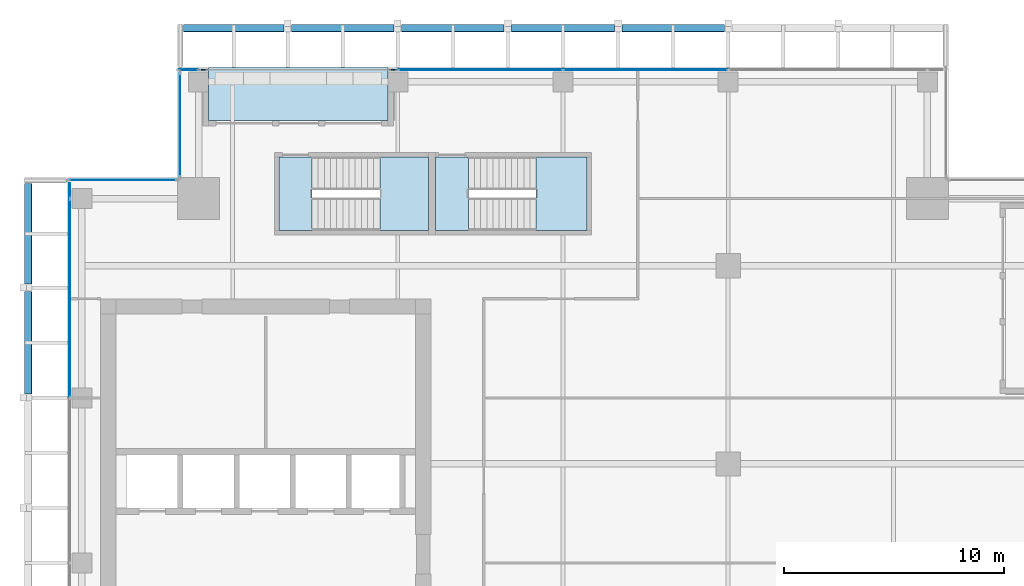
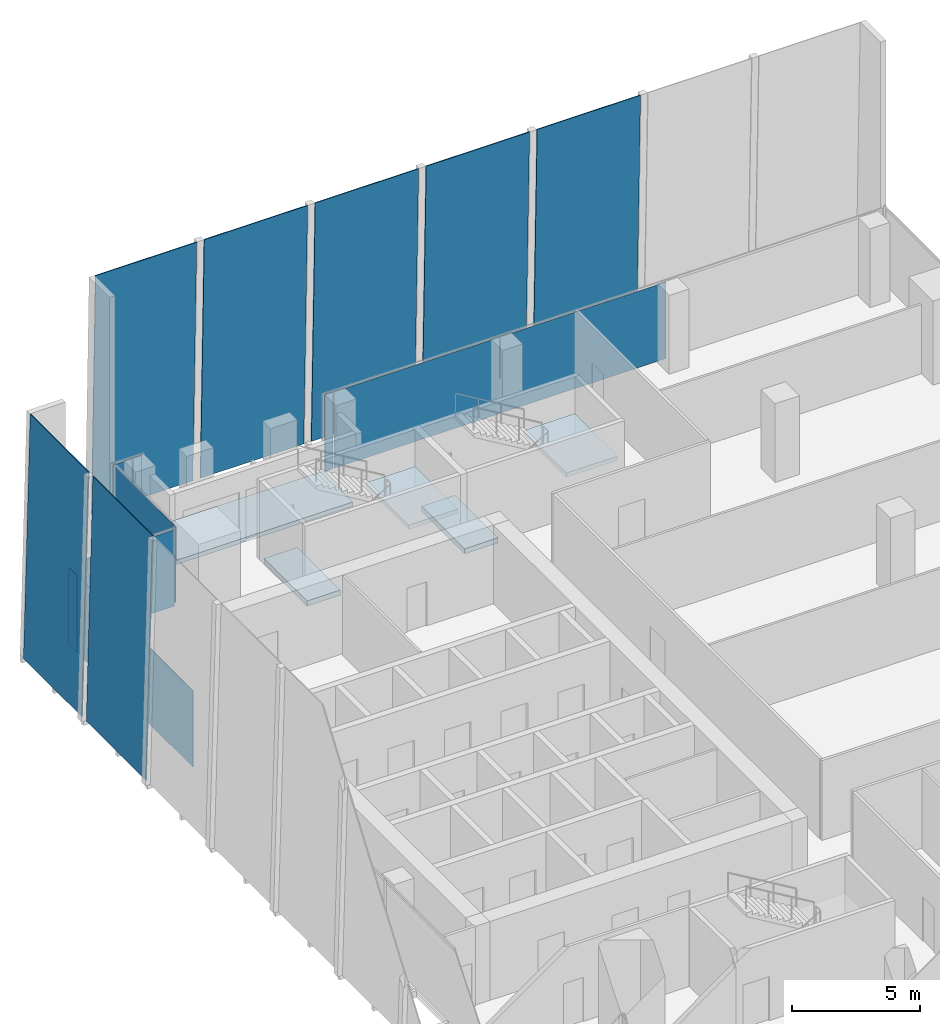
# One storey, part 26 of 35: 16 plates, 5 slabs, 7 elements without a shape of their own.
"""IFC4 building model written with IfcOpenShell, lengths in metres."""

from ifc_helpers import new_model, si_unit, direction, frame, origin, origin_2d, place, context, subcontext, project, spatial, polyline, rectangle, outline, extrude, source, transform, mapped, material, layer, layer_set, type_object, element, aggregate, save


model = new_model("IFC4")

# Units and contexts
model_context = context("Model", 3, precision=1e-05, world=origin(), true_north=direction((0.0, 1.0)))
body_context = subcontext(model_context, "Body", "Model", "MODEL_VIEW")
ifc_project = project(units=[si_unit("LENGTHUNIT", "METRE"), si_unit("AREAUNIT", "SQUARE_METRE"), si_unit("VOLUMEUNIT", "CUBIC_METRE"), si_unit("PLANEANGLEUNIT", "RADIAN"), si_unit("MASSUNIT", "GRAM", prefix="KILO")], contexts=[model_context])

# Site, building, storey
site_placement = place(None, origin())
site = spatial("IfcSite", under=ifc_project, at=site_placement, CompositionType="ELEMENT")
building_placement = place(site_placement, origin())
building = spatial("IfcBuilding", under=site, at=building_placement, Name="Khomas Fold Tower", CompositionType="ELEMENT")
storey_placement = place(building_placement, frame((0.0, 0.0, 246.199951171875)))
storey = spatial("IfcBuildingStorey", under=building, at=storey_placement, Name="L55", CompositionType="ELEMENT", Elevation=246.199951171875)

# Plates
ifc_material_1 = material(Name="Clear laminated glass", Category="glass")
ifc_layer_1 = layer(ifc_material_1, 0.0400390625)
ifc_layer_set_1 = layer_set([ifc_layer_1], Name="Clear laminated glass")
plate_type_1 = type_object("IfcPlateType", Name="SK-Clear laminated glass leaf", PredefinedType="SHEET", material=ifc_layer_set_1)
plate_1_placement = place(storey_placement, frame((9.77001953125, 51.450927734375, 0.0009765625), z_axis=(0.0, 0.999657230839, 0.026180543005), x_axis=(1.0, 0.0, 0.0)))
element("IfcPlate", 1, at=plate_1_placement, inside=storey, type_object=plate_type_1, Name="OUTER SKIN glass L55 N1", PredefinedType="SHEET", context=body_context, shape_type="SweptSolid", body=[
    extrude(outline(polyline([(0.0, 0.0), (4.56005859375, 0.0), (4.56005859375, -11.554009186164079), (0.0, -11.554009186164079), (0.0, 0.0)])), origin(), (0.0, 0.0, -1.0), 0.0400390625),
])
for number, where, z_axis, x_axis, name in (
    (2, (14.669921875, 51.450927734375, 0.0009765625), (0.0, 0.999657230839, 0.026180543005), (1.0, 0.0, 0.0), "OUTER SKIN glass L55 N3"),
    (3, (19.669921875, 51.450927734375, 0.0009765625), (0.0, 0.999657230839, 0.026180543005), (1.0, 0.0, 0.0), "OUTER SKIN glass L55 N5"),
    (4, (24.669921875, 51.450927734375, 0.0009765625), (0.0, 0.999657230839, 0.026180543005), (1.0, 0.0, 0.0), "OUTER SKIN glass L55 N7"),
    (5, (29.669921875, 51.450927734375, 0.0009765625), (0.0, 0.999657230839, 0.026180543005), (1.0, 0.0, 0.0), "OUTER SKIN glass L55 N9"),
    (6, (2.549072265625, 34.669921875, 0.0009765625), (-0.999657230839, 0.0, 0.026180543005), (0.0, 1.0, 0.0), "OUTER SKIN glass L55 W11"),
):
    element("IfcPlate", number, at=place(storey_placement, frame(where, z_axis=z_axis, x_axis=x_axis)), inside=storey, type_object=plate_type_1, Name=name, PredefinedType="SHEET", context=body_context, shape_type="SweptSolid", body=[
        extrude(outline(polyline([(0.0, 0.0), (4.66015625, 0.0), (4.66015625, -11.554009186164079), (0.0, -11.554009186164079), (0.0, 0.0)])), origin(), (0.0, 0.0, -1.0), 0.0400390625),
    ])
plate_2_placement = place(storey_placement, frame((2.549072265625, 39.669921875, 0.0009765625), z_axis=(-0.999657230839, 0.0, 0.026180543005), x_axis=(0.0, 1.0, 0.0)))
element("IfcPlate", 7, at=plate_2_placement, inside=storey, type_object=plate_type_1, Name="OUTER SKIN glass L55 W13", PredefinedType="SHEET", context=body_context, shape_type="SweptSolid", body=[
    extrude(outline(polyline([(0.0, 0.0), (4.56005859375, 0.0), (4.56005859375, -11.554009186164079), (0.0, -11.554009186164079), (0.0, 0.0)])), origin(), (0.0, 0.0, -1.0), 0.0400390625),
])

# Curtain wall, plate
ifc_material_2 = material(Name="Aluminium framed double glazing", Category="aluminium")
curtain_wall_type = type_object("IfcCurtainWallType", Name="SK-Unitised clear-glass wall, office floors CW2", PredefinedType="NOTDEFINED", material=ifc_material_2)
curtain_wall_1_placement = place(storey_placement, origin())
curtain_wall_1 = element("IfcCurtainWall", 8, at=curtain_wall_1_placement, inside=storey, type_object=curtain_wall_type, Name="CW2 run L55 09-0", PredefinedType="NOTDEFINED")
ifc_material_3 = material(Name="Clear double glazed unit")
ifc_layer_2 = layer(ifc_material_3, 0.030029296875)
ifc_layer_set_2 = layer_set([ifc_layer_2], Name="Clear double glazed unit")
plate_type_2 = type_object("IfcPlateType", Name="SK-Unitised clear-glass wall, office floors glass panel CW2-P", PredefinedType="CURTAIN_PANEL", material=ifc_layer_set_2)
shared_shape_1 = source(origin(), body_context, "Body", "SweptSolid", [
    extrude(rectangle(XDim=0.659912109375, YDim=0.030029296875, at=origin_2d()), origin(), (0.0, 0.0, 1.0), 3.639892578125),
])
plate_3_placement = place(storey_placement, frame((4.60009765625, 43.909912109375, 0.0), z_axis=(0.0, 0.0, 1.0), x_axis=(0.0, -1.0, 0.0)))
plate_3 = element("IfcPlate", 9, at=plate_3_placement, type_object=plate_type_2, Name="CW2 glass panel 1", PredefinedType="CURTAIN_PANEL", context=body_context, shape_type="MappedRepresentation", body=[
    mapped(shared_shape_1, transform((0.0, 0.0, 0.0))),
])

# Curtain wall, plates
curtain_wall_2_placement = place(storey_placement, origin())
curtain_wall_2 = element("IfcCurtainWall", 10, at=curtain_wall_2_placement, inside=storey, type_object=curtain_wall_type, Name="CW2 run L55 06-0", PredefinedType="NOTDEFINED")
shared_shape_2 = source(origin(), body_context, "Body", "SweptSolid", [
    extrude(rectangle(XDim=7.43994140625, YDim=0.030029296875, at=origin_2d()), origin(), (0.0, 0.0, 1.0), 3.639892578125),
])
plate_4_placement = place(storey_placement, frame((30.75, 49.39990234375, 0.0), z_axis=(0.0, 0.0, 1.0), x_axis=(-1.0, 0.0, 0.0)))
plate_4 = element("IfcPlate", 11, at=plate_4_placement, type_object=plate_type_2, Name="CW2 glass panel 3", PredefinedType="CURTAIN_PANEL", context=body_context, shape_type="MappedRepresentation", body=[
    mapped(shared_shape_2, transform((0.0, 0.0, 0.0))),
])
plate_5_placement = place(storey_placement, frame((23.25, 49.39990234375, 0.0), z_axis=(0.0, 0.0, 1.0), x_axis=(-1.0, 0.0, 0.0)))
plate_5 = element("IfcPlate", 12, at=plate_5_placement, type_object=plate_type_2, Name="CW2 glass panel 4", PredefinedType="CURTAIN_PANEL", context=body_context, shape_type="MappedRepresentation", body=[
    mapped(shared_shape_2, transform((0.0, 0.0, 0.0))),
])

# Curtain wall, plate
curtain_wall_3_placement = place(storey_placement, origin())
curtain_wall_3 = element("IfcCurtainWall", 13, at=curtain_wall_3_placement, inside=storey, type_object=curtain_wall_type, Name="CW2 run L55 06-1", PredefinedType="NOTDEFINED")
shared_shape_3 = source(origin(), body_context, "Body", "SweptSolid", [
    extrude(rectangle(XDim=0.860107421875, YDim=0.030029296875, at=origin_2d()), origin(), (0.0, 0.0, 1.0), 3.639892578125),
])
plate_6_placement = place(storey_placement, frame((9.989990234375, 49.39990234375, 0.0), z_axis=(0.0, 0.0, 1.0), x_axis=(-1.0, 0.0, 0.0)))
plate_6 = element("IfcPlate", 14, at=plate_6_placement, type_object=plate_type_2, Name="CW2 glass panel 2", PredefinedType="CURTAIN_PANEL", context=body_context, shape_type="MappedRepresentation", body=[
    mapped(shared_shape_3, transform((0.0, 0.0, 0.0))),
])

# Plate
shared_shape_4 = source(origin(), body_context, "Body", "SweptSolid", [
    extrude(rectangle(XDim=8.989990234375, YDim=0.030029296875, at=origin_2d()), origin(), (0.0, 0.0, 1.0), 3.639892578125),
])
plate_7_placement = place(storey_placement, frame((4.60009765625, 39.02490234375, 0.0), z_axis=(0.0, 0.0, 1.0), x_axis=(0.0, -1.0, 0.0)))
plate_7 = element("IfcPlate", 15, at=plate_7_placement, type_object=plate_type_2, Name="CW2 glass panel 2", PredefinedType="CURTAIN_PANEL", context=body_context, shape_type="MappedRepresentation", body=[
    mapped(shared_shape_4, transform((0.0, 0.0, 0.0))),
])

aggregate(curtain_wall_1, [plate_3, plate_7])

# Curtain wall, plate
curtain_wall_4_placement = place(storey_placement, origin())
curtain_wall_4 = element("IfcCurtainWall", 16, at=curtain_wall_4_placement, inside=storey, type_object=curtain_wall_type, Name="CW2 corner return L55 07", PredefinedType="NOTDEFINED")
shared_shape_5 = source(origin(), body_context, "Body", "SweptSolid", [
    extrude(rectangle(XDim=4.679931640625, YDim=0.030029296875, at=origin_2d()), origin(), (0.0, 0.0, 1.0), 3.639892578125),
])
plate_8_placement = place(storey_placement, frame((9.60009765625, 46.89990234375, 0.0), z_axis=(0.0, 0.0, 1.0), x_axis=(0.0, -1.0, 0.0)))
plate_8 = element("IfcPlate", 17, at=plate_8_placement, type_object=plate_type_2, Name="CW2 glass panel 1", PredefinedType="CURTAIN_PANEL", context=body_context, shape_type="MappedRepresentation", body=[
    mapped(shared_shape_5, transform((0.0, 0.0, 0.0))),
])
aggregate(curtain_wall_4, [plate_8])

curtain_wall_5_placement = place(storey_placement, origin())
curtain_wall_5 = element("IfcCurtainWall", 18, at=curtain_wall_5_placement, inside=storey, type_object=curtain_wall_type, Name="CW2 corner return L55 08", PredefinedType="NOTDEFINED")
shared_shape_6 = source(origin(), body_context, "Body", "SweptSolid", [
    extrude(rectangle(XDim=4.8798828125, YDim=0.030029296875, at=origin_2d()), origin(), (0.0, 0.0, 1.0), 3.639892578125),
])
plate_9_placement = place(storey_placement, frame((7.0, 44.39990234375, 0.0), z_axis=(0.0, 0.0, 1.0), x_axis=(-1.0, 0.0, 0.0)))
plate_9 = element("IfcPlate", 19, at=plate_9_placement, type_object=plate_type_2, Name="CW2 glass panel 1", PredefinedType="CURTAIN_PANEL", context=body_context, shape_type="MappedRepresentation", body=[
    mapped(shared_shape_6, transform((0.0, 0.0, 0.0))),
])
aggregate(curtain_wall_5, [plate_9])

# Plate
shared_shape_7 = source(origin(), body_context, "Body", "SweptSolid", [
    extrude(rectangle(XDim=0.360107421875, YDim=0.030029296875, at=origin_2d()), origin(), (0.0, 0.0, 1.0), 3.639892578125),
])
plate_10_placement = place(storey_placement, frame((19.2900390625, 49.39990234375, 0.0), z_axis=(0.0, 0.0, 1.0), x_axis=(-1.0, 0.0, 0.0)))
plate_10 = element("IfcPlate", 20, at=plate_10_placement, type_object=plate_type_2, Name="CW2 glass panel 5", PredefinedType="CURTAIN_PANEL", context=body_context, shape_type="MappedRepresentation", body=[
    mapped(shared_shape_7, transform((0.0, 0.0, 0.0))),
])

aggregate(curtain_wall_2, [plate_4, plate_5, plate_10])

plate_11_placement = place(storey_placement, frame((10.659912109375, 49.39990234375, 0.0), z_axis=(0.0, 0.0, 1.0), x_axis=(-1.0, 0.0, 0.0)))
plate_11 = element("IfcPlate", 21, at=plate_11_placement, type_object=plate_type_2, Name="CW2 glass panel 1", PredefinedType="CURTAIN_PANEL", context=body_context, shape_type="MappedRepresentation", body=[
    mapped(shared_shape_7, transform((0.0, 0.0, 0.0))),
])

aggregate(curtain_wall_3, [plate_11, plate_6])

# Slab
ifc_material_4 = material(Name="Concrete C40/50", Category="concrete")
ifc_layer_3 = layer(ifc_material_4, 0.205078125)
ifc_layer_set_3 = layer_set([ifc_layer_3], Name="Concrete C40/50")
slab_type_1 = type_object("IfcSlabType", Name="BL-Balcony deck 205", PredefinedType="FLOOR", material=ifc_layer_set_3)
shared_shape_8 = source(origin(), body_context, "Body", "SweptSolid", [
    extrude(outline(polyline([(10.89990234375, 47.10009765625), (19.050048828125, 47.10009765625), (19.050048828125, 49.5), (10.89990234375, 49.5), (10.89990234375, 47.10009765625)])), origin(), (0.0, 0.0, 1.0), 0.205078125),
])
slab_1_placement = place(storey_placement, frame((0.0, 0.0, -0.25)))
element("IfcSlab", 22, at=slab_1_placement, inside=storey, type_object=slab_type_1, Name="Balcony deck BAL-L55-N1", PredefinedType="FLOOR", context=body_context, shape_type="MappedRepresentation", body=[
    mapped(shared_shape_8, transform((0.0, 0.0, 0.0))),
])

# Stair, slab
ifc_material_5 = material(Name="Concrete C40/50", Category="concrete")
stair_type_1 = type_object("IfcStairType", Name="Stair ST1", PredefinedType="HALF_TURN_STAIR", material=ifc_material_5)
stair_1_placement = place(storey_placement, origin())
stair_1 = element("IfcStair", 23, at=stair_1_placement, inside=storey, type_object=stair_type_1, Name="L55 ST1", PredefinedType="HALF_TURN_STAIR")
ifc_material_6 = material(Name="Concrete C40/50", Category="concrete")
ifc_layer_4 = layer(ifc_material_6, 0.199951171875)
ifc_layer_set_4 = layer_set([ifc_layer_4], Name="Concrete C40/50")
slab_type_2 = type_object("IfcSlabType", Name="Stair landing 200", PredefinedType="LANDING", material=ifc_layer_set_4)
shared_shape_9 = source(origin(), body_context, "Body", "SweptSolid", [
    extrude(outline(polyline([(18.679931640625, 42.10009765625), (20.89990234375, 42.10009765625), (20.89990234375, 45.449951171875), (18.679931640625, 45.449951171875), (18.679931640625, 42.10009765625)])), origin(), (0.0, 0.0, 1.0), 0.199951171875),
])
slab_2_placement = place(storey_placement, frame((0.0, 0.0, 1.800048828125)))
slab_2 = element("IfcSlab", 24, at=slab_2_placement, type_object=slab_type_2, Name="ST1 landing 1", PredefinedType="LANDING", context=body_context, shape_type="MappedRepresentation", body=[
    mapped(shared_shape_9, transform((0.0, 0.0, 0.0))),
])
aggregate(stair_1, [slab_2])

# Slab
ifc_material_7 = material(Name="Concrete C40/50", Category="concrete")
ifc_layer_5 = layer(ifc_material_7, 0.25)
ifc_layer_set_5 = layer_set([ifc_layer_5], Name="Concrete C40/50")
slab_type_3 = type_object("IfcSlabType", Name="Stair floor landing 250", PredefinedType="LANDING", material=ifc_layer_set_5)
shared_shape_10 = source(origin(), body_context, "Body", "SweptSolid", [
    extrude(outline(polyline([(15.60009765625, 42.10009765625), (14.10009765625, 42.10009765625), (14.10009765625, 45.449951171875), (15.60009765625, 45.449951171875), (15.60009765625, 42.10009765625)])), origin(), (0.0, 0.0, 1.0), 0.25),
])
slab_3_placement = place(storey_placement, frame((0.0, 0.0, -0.25)))
element("IfcSlab", 25, at=slab_3_placement, inside=storey, type_object=slab_type_3, Name="ST1 floor landing", PredefinedType="LANDING", context=body_context, shape_type="MappedRepresentation", body=[
    mapped(shared_shape_10, transform((0.0, 0.0, 0.0))),
])

# Stair, slab
ifc_material_8 = material(Name="Concrete C40/50", Category="concrete")
stair_type_2 = type_object("IfcStairType", Name="Stair ST3", PredefinedType="HALF_TURN_STAIR", material=ifc_material_8)
stair_2_placement = place(storey_placement, origin())
stair_2 = element("IfcStair", 26, at=stair_2_placement, inside=storey, type_object=stair_type_2, Name="L55 ST3", PredefinedType="HALF_TURN_STAIR")
shared_shape_11 = source(origin(), body_context, "Body", "SweptSolid", [
    extrude(outline(polyline([(25.780029296875, 42.10009765625), (28.10009765625, 42.10009765625), (28.10009765625, 45.449951171875), (25.780029296875, 45.449951171875), (25.780029296875, 42.10009765625)])), origin(), (0.0, 0.0, 1.0), 0.199951171875),
])
slab_4_placement = place(storey_placement, frame((0.0, 0.0, 1.800048828125)))
slab_4 = element("IfcSlab", 27, at=slab_4_placement, type_object=slab_type_2, Name="ST3 landing 1", PredefinedType="LANDING", context=body_context, shape_type="MappedRepresentation", body=[
    mapped(shared_shape_11, transform((0.0, 0.0, 0.0))),
])
aggregate(stair_2, [slab_4])

# Slab
shared_shape_12 = source(origin(), body_context, "Body", "SweptSolid", [
    extrude(outline(polyline([(22.699951171875, 42.10009765625), (21.199951171875, 42.10009765625), (21.199951171875, 45.449951171875), (22.699951171875, 45.449951171875), (22.699951171875, 42.10009765625)])), origin(), (0.0, 0.0, 1.0), 0.25),
])
slab_5_placement = place(storey_placement, frame((0.0, 0.0, -0.25)))
element("IfcSlab", 28, at=slab_5_placement, inside=storey, type_object=slab_type_3, Name="ST3 floor landing", PredefinedType="LANDING", context=body_context, shape_type="MappedRepresentation", body=[
    mapped(shared_shape_12, transform((0.0, 0.0, 0.0))),
])

save(model, "model.ifc")
